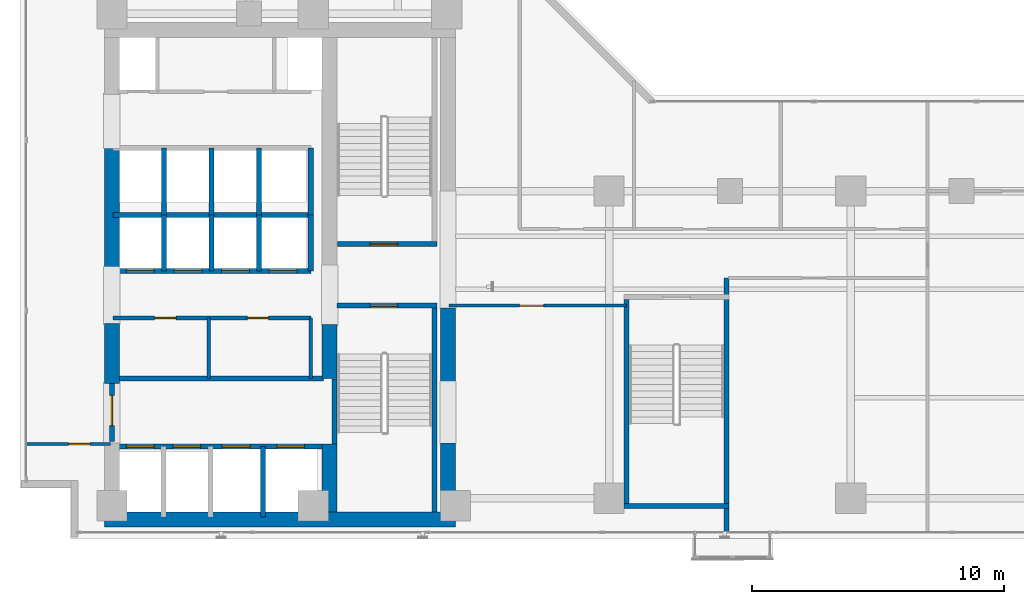
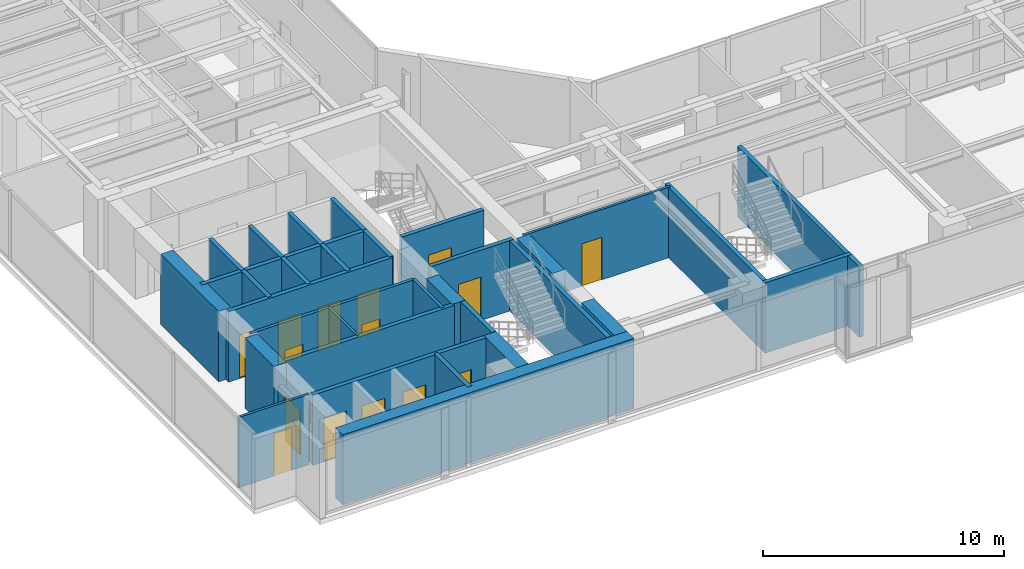
# One storey, part 19 of 24: 33 walls, 15 doors, 15 openings.
"""IFC4 building model written with IfcOpenShell, lengths in metres."""

from ifc_helpers import new_model, si_unit, direction, frame, frame_2d, origin, place, context, subcontext, project, spatial, rectangle, extrude, material, layer, layer_set, type_object, element, fill, save


model = new_model("IFC4")

# Units and contexts
model_context = context("Model", 3, precision=1e-05, world=origin(), true_north=direction((0.0, 1.0)))
body_context = subcontext(model_context, "Body", "Model", "MODEL_VIEW")
ifc_project = project(units=[si_unit("LENGTHUNIT", "METRE"), si_unit("AREAUNIT", "SQUARE_METRE"), si_unit("VOLUMEUNIT", "CUBIC_METRE"), si_unit("PLANEANGLEUNIT", "RADIAN"), si_unit("MASSUNIT", "GRAM", prefix="KILO")], contexts=[model_context])

# Site, building, storey
site_placement = place(None, origin())
site = spatial("IfcSite", under=ifc_project, at=site_placement, CompositionType="ELEMENT")
building_placement = place(site_placement, origin())
building = spatial("IfcBuilding", under=site, at=building_placement, Name="Kolvaren Waterfront Exchange", CompositionType="ELEMENT")
storey_placement = place(building_placement, frame((0.0, 0.0, 157.60009765625)))
storey = spatial("IfcBuildingStorey", under=building, at=storey_placement, Name="L40", CompositionType="ELEMENT", Elevation=157.60009765625)

# Wall, opening, door
ifc_material_1 = material(Name="Precast concrete C40/50", Category="concrete")
ifc_layer_1 = layer(ifc_material_1, 0.199951171875, Name="Precast concrete C40/50")
ifc_layer_set_1 = layer_set([ifc_layer_1], Name="Precast concrete C40/50")
wall_type_1 = type_object("IfcWallType", Name="ARC-FIRE-200", PredefinedType="PARTITIONING", material=ifc_layer_set_1)
wall_1_placement = place(storey_placement, frame((16.39990234375, 12.85009765625, 0.0), z_axis=(0.0, 0.0, 1.0), x_axis=(1.0, 0.0, 0.0)))
wall_1 = element("IfcWall", 1, at=wall_1_placement, inside=storey, type_object=wall_type_1, Name="L40 interior wall PW-L40-ST1-THROAT-S", PredefinedType="PARTITIONING", context=body_context, shape_type="SweptSolid", body=[
    extrude(rectangle(XDim=3.960205078125, YDim=0.199951171875, at=frame_2d((1.97998046875, 0.0))), origin(), (0.0, 0.0, 1.0), 3.559814453125),
])
opening_1_placement = place(wall_1_placement, frame((1.3037109375, 0.0, 0.0)))
opening_1 = element("IfcOpeningElement", 2, at=opening_1_placement, cuts=wall_1, Name="Opening FD2", PredefinedType="OPENING", context=body_context, shape_type="SweptSolid", body=[
    extrude(rectangle(XDim=1.10009765625, YDim=2.199951171875, at=frame_2d((0.550048828125, 1.10009765625))), frame((0.0, 0.10986328125, 0.0), z_axis=(0.0, -1.0, 0.0), x_axis=(1.0, 0.0, 0.0)), (0.0, 0.0, 1.0), 0.219970703125),
])
ifc_material_2 = material(Name="Pressed steel smoke-seal fire door", Category="steel")
door_type_1 = type_object("IfcDoorType", Name="ARC-FD-1100", OperationType="NOTDEFINED", PredefinedType="DOOR", material=ifc_material_2)
door_1_placement = place(opening_1_placement, frame((1.10009765625, 0.0, 0.0), z_axis=(0.0, 0.0, 1.0), x_axis=(-1.0, 0.0, 0.0)))
door_1 = element("IfcDoor", 3, at=door_1_placement, inside=storey, type_object=door_type_1, Name="L40 door DR-L40-ST1-IN (FD2)", OperationType="SINGLE_SWING_LEFT", OverallHeight=2.199951171875, OverallWidth=1.10009765625, PredefinedType="DOOR", context=body_context, shape_type="SweptSolid", body=[
    extrude(rectangle(XDim=1.10009765625, YDim=2.199951171875, at=frame_2d((0.550048828125, 1.10009765625))), frame((0.0, 0.02490234375, 0.0), z_axis=(0.0, -1.0, 0.0), x_axis=(1.0, 0.0, 0.0)), (0.0, 0.0, 1.0), 0.050048828125),
])
fill(opening_1, door_1)

wall_2_placement = place(storey_placement, frame((16.409912109375, 15.300048828125, 0.0), z_axis=(0.0, 0.0, 1.0), x_axis=(1.0, 0.0, 0.0)))
wall_2 = element("IfcWall", 4, at=wall_2_placement, inside=storey, type_object=wall_type_1, Name="L40 interior wall PW-L40-ST2-THROAT-N", PredefinedType="PARTITIONING", context=body_context, shape_type="SweptSolid", body=[
    extrude(rectangle(XDim=3.9501953125, YDim=0.199951171875, at=frame_2d((1.97509765625, 0.0))), origin(), (0.0, 0.0, 1.0), 3.559814453125),
])
opening_2_placement = place(wall_2_placement, frame((1.293701171875, 0.0, 0.0)))
opening_2 = element("IfcOpeningElement", 5, at=opening_2_placement, cuts=wall_2, Name="Opening FD2", PredefinedType="OPENING", context=body_context, shape_type="SweptSolid", body=[
    extrude(rectangle(XDim=1.10009765625, YDim=2.199951171875, at=frame_2d((0.550048828125, 1.10009765625))), frame((0.0, 0.10986328125, 0.0), z_axis=(0.0, -1.0, 0.0), x_axis=(1.0, 0.0, 0.0)), (0.0, 0.0, 1.0), 0.219970703125),
])
door_2_placement = place(opening_2_placement, origin())
door_2 = element("IfcDoor", 6, at=door_2_placement, inside=storey, type_object=door_type_1, Name="L40 door DR-L40-ST2-IN (FD2)", OperationType="SINGLE_SWING_RIGHT", OverallHeight=2.199951171875, OverallWidth=1.10009765625, PredefinedType="DOOR", context=body_context, shape_type="SweptSolid", body=[
    extrude(rectangle(XDim=1.10009765625, YDim=2.199951171875, at=frame_2d((0.550048828125, 1.10009765625))), frame((0.0, 0.02490234375, 0.0), z_axis=(0.0, -1.0, 0.0), x_axis=(1.0, 0.0, 0.0)), (0.0, 0.0, 1.0), 0.050048828125),
])
fill(opening_2, door_2)

# Wall
wall_3_placement = place(storey_placement, frame((7.5, 9.949951171875, 0.0), z_axis=(0.0, 0.0, 1.0), x_axis=(1.0, 0.0, 0.0)))
element("IfcWall", 7, at=wall_3_placement, inside=storey, type_object=wall_type_1, Name="L40 interior wall PW-L40-FF-N", PredefinedType="PARTITIONING", context=body_context, shape_type="SweptSolid", body=[
    extrude(rectangle(XDim=8.35009765625, YDim=0.199951171875, at=frame_2d((4.175048828125, 0.0))), origin(), (0.0, 0.0, 1.0), 3.559814453125),
])

# Wall, opening, door
wall_4_placement = place(storey_placement, frame((7.449951171875, 7.449951171875, 0.0), z_axis=(0.0, 0.0, 1.0), x_axis=(0.0, 1.0, 0.0)))
wall_4 = element("IfcWall", 8, at=wall_4_placement, inside=storey, type_object=wall_type_1, Name="L40 interior wall PW-L40-FF-W-DOOR", PredefinedType="PARTITIONING", context=body_context, shape_type="SweptSolid", body=[
    extrude(rectangle(XDim=2.300048828125, YDim=0.199951171875, at=frame_2d((1.14990234375, 0.0))), origin(), (0.0, 0.0, 1.0), 2.539794921875),
])
opening_3_placement = place(wall_4_placement, frame((0.63330078125, 0.0, 0.0)))
opening_3 = element("IfcOpeningElement", 9, at=opening_3_placement, cuts=wall_4, Name="Opening FD3", PredefinedType="OPENING", context=body_context, shape_type="SweptSolid", body=[
    extrude(rectangle(XDim=1.199951171875, YDim=2.25, at=frame_2d((0.60009765625, 1.125))), frame((0.0, 0.10986328125, 0.0), z_axis=(0.0, -1.0, 0.0), x_axis=(1.0, 0.0, 0.0)), (0.0, 0.0, 1.0), 0.219970703125),
])
ifc_material_3 = material(Name="Pressed steel fire door", Category="steel")
door_type_2 = type_object("IfcDoorType", Name="ARC-FD-1200", OperationType="NOTDEFINED", PredefinedType="DOOR", material=ifc_material_3)
door_3_placement = place(opening_3_placement, frame((1.199951171875, 0.0, 0.0), z_axis=(0.0, 0.0, 1.0), x_axis=(-1.0, 0.0, 0.0)))
door_3 = element("IfcDoor", 10, at=door_3_placement, inside=storey, type_object=door_type_2, Name="L40 door DR-L40-FF-OUT (FD3)", OperationType="SINGLE_SWING_RIGHT", OverallHeight=2.25, OverallWidth=1.199951171875, PredefinedType="DOOR", context=body_context, shape_type="SweptSolid", body=[
    extrude(rectangle(XDim=1.199951171875, YDim=2.25, at=frame_2d((0.60009765625, 1.125))), frame((0.0, 0.02490234375, 0.0), z_axis=(0.0, -1.0, 0.0), x_axis=(1.0, 0.0, 0.0)), (0.0, 0.0, 1.0), 0.050048828125),
])
fill(opening_3, door_3)

# Wall
ifc_material_4 = material(Name="Acoustic gypsum steel stud", Category="steel")
ifc_layer_2 = layer(ifc_material_4, 0.125, Name="Acoustic gypsum steel stud")
ifc_layer_set_2 = layer_set([ifc_layer_2], Name="Acoustic gypsum steel stud")
wall_type_2 = type_object("IfcWallType", Name="ARC-PART-125", PredefinedType="PARTITIONING", material=ifc_layer_set_2)
wall_5_placement = place(storey_placement, frame((11.300048828125, 9.949951171875, 0.0), z_axis=(0.0, 0.0, 1.0), x_axis=(0.0, 1.0, 0.0)))
element("IfcWall", 11, at=wall_5_placement, inside=storey, type_object=wall_type_2, Name="L40 interior wall PW-L40-REC-PL-MID", PredefinedType="PARTITIONING", context=body_context, shape_type="SweptSolid", body=[
    extrude(rectangle(XDim=2.41015625, YDim=0.125, at=frame_2d((1.205078125, 0.0))), origin(), (0.0, 0.0, 1.0), 3.559814453125),
])

# Wall, opening, door
wall_6_placement = place(storey_placement, frame((4.0400390625, 7.35009765625, 0.0), z_axis=(0.0, 0.0, 1.0), x_axis=(1.0, 0.0, 0.0)))
wall_6 = element("IfcWall", 12, at=wall_6_placement, inside=storey, type_object=wall_type_2, Name="L40 interior wall PW-L40-SWC-N", PredefinedType="PARTITIONING", context=body_context, shape_type="SweptSolid", body=[
    extrude(rectangle(XDim=3.35986328125, YDim=0.125, at=frame_2d((1.679931640625, 0.0))), origin(), (0.0, 0.0, 1.0), 3.559814453125),
])
opening_4_placement = place(wall_6_placement, frame((1.686767578125, 0.0, 0.0)))
opening_4 = element("IfcOpeningElement", 13, at=opening_4_placement, cuts=wall_6, Name="Opening D01", PredefinedType="OPENING", context=body_context, shape_type="SweptSolid", body=[
    extrude(rectangle(XDim=0.85009765625, YDim=2.14990234375, at=frame_2d((0.425048828125, 1.074951171875))), frame((0.0, 0.072509765625, 0.0), z_axis=(0.0, -1.0, 0.0), x_axis=(1.0, 0.0, 0.0)), (0.0, 0.0, 1.0), 0.14501953125),
])
ifc_material_5 = material(Name="Oak veneer timber leaf", Category="wood")
door_type_3 = type_object("IfcDoorType", Name="ARC-DR-900", OperationType="NOTDEFINED", PredefinedType="DOOR", material=ifc_material_5)
door_4_placement = place(opening_4_placement, origin())
door_4 = element("IfcDoor", 14, at=door_4_placement, inside=storey, type_object=door_type_3, Name="L40 door DR-L40-SWC-D (D01)", OperationType="SINGLE_SWING_RIGHT", OverallHeight=2.14990234375, OverallWidth=0.85009765625, PredefinedType="DOOR", context=body_context, shape_type="SweptSolid", body=[
    extrude(rectangle(XDim=0.85009765625, YDim=2.14990234375, at=frame_2d((0.425048828125, 1.074951171875))), frame((0.0, 0.02490234375, 0.0), z_axis=(0.0, -1.0, 0.0), x_axis=(1.0, 0.0, 0.0)), (0.0, 0.0, 1.0), 0.050048828125),
])
fill(opening_4, door_4)

wall_7_placement = place(storey_placement, frame((20.85009765625, 12.85009765625, 0.0), z_axis=(0.0, 0.0, 1.0), x_axis=(1.0, 0.0, 0.0)))
wall_7 = element("IfcWall", 15, at=wall_7_placement, inside=storey, type_object=wall_type_2, Name="L40 interior wall PW-L40-SWST3-N", PredefinedType="PARTITIONING", context=body_context, shape_type="SweptSolid", body=[
    extrude(rectangle(XDim=7.0498046875, YDim=0.125, at=frame_2d((3.52490234375, 0.0))), origin(), (0.0, 0.0, 1.0), 3.559814453125),
])
opening_5_placement = place(wall_7_placement, frame((2.800048828125, 0.0, 0.0)))
opening_5 = element("IfcOpeningElement", 16, at=opening_5_placement, cuts=wall_7, Name="Opening D02", PredefinedType="OPENING", context=body_context, shape_type="SweptSolid", body=[
    extrude(rectangle(XDim=0.949951171875, YDim=2.14990234375, at=frame_2d((0.47509765625, 1.074951171875))), frame((0.0, 0.072509765625, 0.0), z_axis=(0.0, -1.0, 0.0), x_axis=(1.0, 0.0, 0.0)), (0.0, 0.0, 1.0), 0.14501953125),
])
ifc_material_6 = material(Name="Oak veneer acoustic timber", Category="wood")
door_type_4 = type_object("IfcDoorType", Name="ARC-DR-950", OperationType="NOTDEFINED", PredefinedType="DOOR", material=ifc_material_6)
door_5_placement = place(opening_5_placement, origin())
door_5 = element("IfcDoor", 17, at=door_5_placement, inside=storey, type_object=door_type_4, Name="L40 door DR-L40-SWST3-D (D02)", OperationType="SINGLE_SWING_LEFT", OverallHeight=2.14990234375, OverallWidth=0.949951171875, PredefinedType="DOOR", context=body_context, shape_type="SweptSolid", body=[
    extrude(rectangle(XDim=0.949951171875, YDim=2.14990234375, at=frame_2d((0.47509765625, 1.074951171875))), frame((0.0, 0.02490234375, 0.0), z_axis=(0.0, -1.0, 0.0), x_axis=(1.0, 0.0, 0.0)), (0.0, 0.0, 1.0), 0.050048828125),
])
fill(opening_5, door_5)

# Wall, openings, doors
ifc_material_7 = material(Name="Gypsum fireboard steel stud", Category="steel")
ifc_layer_3 = layer(ifc_material_7, 0.14990234375, Name="Gypsum fireboard steel stud")
ifc_layer_set_3 = layer_set([ifc_layer_3], Name="Gypsum fireboard steel stud")
wall_type_3 = type_object("IfcWallType", Name="ARC-PART-150", PredefinedType="PARTITIONING", material=ifc_layer_set_3)
wall_8_placement = place(storey_placement, frame((7.5, 12.360107421875, 0.0), z_axis=(0.0, 0.0, 1.0), x_axis=(1.0, 0.0, 0.0)))
wall_8 = element("IfcWall", 18, at=wall_8_placement, inside=storey, type_object=wall_type_3, Name="L40 interior wall PW-L40-REC-PL-N", PredefinedType="PARTITIONING", context=body_context, shape_type="SweptSolid", body=[
    extrude(rectangle(XDim=7.85009765625, YDim=0.14990234375, at=frame_2d((3.925048828125, 0.0))), origin(), (0.0, 0.0, 1.0), 3.559814453125),
])
opening_6_placement = place(wall_8_placement, frame((1.64990234375, 0.0, 0.0)))
opening_6 = element("IfcOpeningElement", 19, at=opening_6_placement, cuts=wall_8, Name="Opening D01", PredefinedType="OPENING", context=body_context, shape_type="SweptSolid", body=[
    extrude(rectangle(XDim=0.85009765625, YDim=2.14990234375, at=frame_2d((0.425048828125, 1.074951171875))), frame((0.0, 0.0849609375, 0.0), z_axis=(0.0, -1.0, 0.0), x_axis=(1.0, 0.0, 0.0)), (0.0, 0.0, 1.0), 0.169921875),
])
opening_7_placement = place(wall_8_placement, frame((5.329345703125, 0.0, 0.0)))
opening_7 = element("IfcOpeningElement", 20, at=opening_7_placement, cuts=wall_8, Name="Opening D01", PredefinedType="OPENING", context=body_context, shape_type="SweptSolid", body=[
    extrude(rectangle(XDim=0.85009765625, YDim=2.14990234375, at=frame_2d((0.425048828125, 1.074951171875))), frame((0.0, 0.0849609375, 0.0), z_axis=(0.0, -1.0, 0.0), x_axis=(1.0, 0.0, 0.0)), (0.0, 0.0, 1.0), 0.169921875),
])
door_6_placement = place(opening_6_placement, origin())
door_6 = element("IfcDoor", 21, at=door_6_placement, inside=storey, type_object=door_type_3, Name="L40 door DR-L40-REC-PL-D1 (D01)", OperationType="SINGLE_SWING_LEFT", OverallHeight=2.14990234375, OverallWidth=0.85009765625, PredefinedType="DOOR", context=body_context, shape_type="SweptSolid", body=[
    extrude(rectangle(XDim=0.85009765625, YDim=2.14990234375, at=frame_2d((0.425048828125, 1.074951171875))), frame((0.0, 0.02490234375, 0.0), z_axis=(0.0, -1.0, 0.0), x_axis=(1.0, 0.0, 0.0)), (0.0, 0.0, 1.0), 0.050048828125),
])
fill(opening_6, door_6)
door_7_placement = place(opening_7_placement, origin())
door_7 = element("IfcDoor", 22, at=door_7_placement, inside=storey, type_object=door_type_3, Name="L40 door DR-L40-REC-PL-D2 (D01)", OperationType="SINGLE_SWING_RIGHT", OverallHeight=2.14990234375, OverallWidth=0.85009765625, PredefinedType="DOOR", context=body_context, shape_type="SweptSolid", body=[
    extrude(rectangle(XDim=0.85009765625, YDim=2.14990234375, at=frame_2d((0.425048828125, 1.074951171875))), frame((0.0, 0.02490234375, 0.0), z_axis=(0.0, -1.0, 0.0), x_axis=(1.0, 0.0, 0.0)), (0.0, 0.0, 1.0), 0.050048828125),
])
fill(opening_7, door_7)

# Walls
wall_9_placement = place(storey_placement, frame((15.35009765625, 9.949951171875, 0.0), z_axis=(0.0, 0.0, 1.0), x_axis=(0.0, 1.0, 0.0)))
element("IfcWall", 23, at=wall_9_placement, inside=storey, type_object=wall_type_3, Name="L40 interior wall PW-L40-REC-PL-E", PredefinedType="PARTITIONING", context=body_context, shape_type="SweptSolid", body=[
    extrude(rectangle(XDim=2.41015625, YDim=0.14990234375, at=frame_2d((1.205078125, 0.0))), origin(), (0.0, 0.0, 1.0), 3.559814453125),
])
ifc_material_8 = material(Name="Concrete C40/50", Category="concrete")
ifc_layer_4 = layer(ifc_material_8, 0.199951171875, Name="Concrete C40/50")
ifc_layer_set_4 = layer_set([ifc_layer_4], Name="Concrete C40/50")
wall_type_4 = type_object("IfcWallType", Name="ARC-SHAFT-200", PredefinedType="PARTITIONING", material=ifc_layer_set_4)
wall_10_placement = place(storey_placement, frame((16.300048828125, 7.360107421875, 0.0), z_axis=(0.0, 0.0, 1.0), x_axis=(0.0, 1.0, 0.0)))
element("IfcWall", 24, at=wall_10_placement, inside=storey, type_object=wall_type_4, Name="L40 structural stairwell wall PW-L40-ST1-W", PredefinedType="SHEAR", context=body_context, shape_type="SweptSolid", body=[
    extrude(rectangle(XDim=2.579833984375, YDim=0.199951171875, at=frame_2d((1.2900390625, 0.0))), origin(), (0.0, 0.0, 1.0), 3.559814453125),
])
wall_11_placement = place(storey_placement, frame((20.260009765625, 4.659912109375, 0.0), z_axis=(0.0, 0.0, 1.0), x_axis=(0.0, 1.0, 0.0)))
element("IfcWall", 25, at=wall_11_placement, inside=storey, type_object=wall_type_4, Name="L40 structural stairwell wall PW-L40-ST1-E", PredefinedType="SHEAR", context=body_context, shape_type="SweptSolid", body=[
    extrude(rectangle(XDim=8.090087890625, YDim=0.199951171875, at=frame_2d((4.044921875, 0.0))), origin(), (0.0, 0.0, 1.0), 3.559814453125),
])
wall_12_placement = place(storey_placement, frame((27.89990234375, 5.0, 0.0), z_axis=(0.0, 0.0, 1.0), x_axis=(0.0, 1.0, 0.0)))
element("IfcWall", 26, at=wall_12_placement, inside=storey, type_object=wall_type_4, Name="L40 structural stairwell wall PW-L40-ST3-W", PredefinedType="SHEAR", context=body_context, shape_type="SweptSolid", body=[
    extrude(rectangle(XDim=8.10009765625, YDim=0.199951171875, at=frame_2d((4.050048828125, 0.0))), origin(), (0.0, 0.0, 1.0), 3.559814453125),
])
wall_13_placement = place(storey_placement, frame((31.860107421875, 3.840087890625, 0.0), z_axis=(0.0, 0.0, 1.0), x_axis=(0.0, 1.0, 0.0)))
element("IfcWall", 27, at=wall_13_placement, inside=storey, type_object=wall_type_4, Name="L40 structural stairwell wall PW-L40-ST3-E", PredefinedType="SHEAR", context=body_context, shape_type="SweptSolid", body=[
    extrude(rectangle(XDim=10.10986328125, YDim=0.199951171875, at=frame_2d((5.054931640625, 0.0))), origin(), (0.0, 0.0, 1.0), 3.559814453125),
])
wall_14_placement = place(storey_placement, frame((27.800048828125, 4.89990234375, 0.0), z_axis=(0.0, 0.0, 1.0), x_axis=(1.0, 0.0, 0.0)))
element("IfcWall", 28, at=wall_14_placement, inside=storey, type_object=wall_type_4, Name="L40 structural stairwell wall PW-L40-ST3-S", PredefinedType="SHEAR", context=body_context, shape_type="SweptSolid", body=[
    extrude(rectangle(XDim=4.159912109375, YDim=0.199951171875, at=frame_2d((2.080078125, 0.0))), origin(), (0.0, 0.0, 1.0), 3.559814453125),
])

# Wall, openings, doors
wall_15_placement = place(storey_placement, frame((7.5, 7.25, 0.0), z_axis=(0.0, 0.0, 1.0), x_axis=(1.0, 0.0, 0.0)))
wall_15 = element("IfcWall", 29, at=wall_15_placement, inside=storey, type_object=wall_type_4, Name="L40 interior wall PW-L40-FF-S", PredefinedType="PARTITIONING", context=body_context, shape_type="SweptSolid", body=[
    extrude(rectangle(XDim=8.35009765625, YDim=0.199951171875, at=frame_2d((4.175048828125, 0.0))), origin(), (0.0, 0.0, 1.0), 3.559814453125),
])
opening_8_placement = place(wall_15_placement, frame((0.530029296875, 0.0, 0.0)))
opening_8 = element("IfcOpeningElement", 30, at=opening_8_placement, cuts=wall_15, Name="Opening LD1", PredefinedType="OPENING", context=body_context, shape_type="SweptSolid", body=[
    extrude(rectangle(XDim=1.10009765625, YDim=2.199951171875, at=frame_2d((0.550048828125, 1.10009765625))), frame((0.0, 0.10986328125, 0.0), z_axis=(0.0, -1.0, 0.0), x_axis=(1.0, 0.0, 0.0)), (0.0, 0.0, 1.0), 0.219970703125),
])
opening_9_placement = place(wall_15_placement, frame((2.3701171875, 0.0, 0.0)))
opening_9 = element("IfcOpeningElement", 31, at=opening_9_placement, cuts=wall_15, Name="Opening LD1", PredefinedType="OPENING", context=body_context, shape_type="SweptSolid", body=[
    extrude(rectangle(XDim=1.10009765625, YDim=2.199951171875, at=frame_2d((0.550048828125, 1.10009765625))), frame((0.0, 0.10986328125, 0.0), z_axis=(0.0, -1.0, 0.0), x_axis=(1.0, 0.0, 0.0)), (0.0, 0.0, 1.0), 0.219970703125),
])
opening_10_placement = place(wall_15_placement, frame((4.330078125, 0.0, 0.0)))
opening_10 = element("IfcOpeningElement", 32, at=opening_10_placement, cuts=wall_15, Name="Opening LD1", PredefinedType="OPENING", context=body_context, shape_type="SweptSolid", body=[
    extrude(rectangle(XDim=1.10009765625, YDim=2.199951171875, at=frame_2d((0.550048828125, 1.10009765625))), frame((0.0, 0.10986328125, 0.0), z_axis=(0.0, -1.0, 0.0), x_axis=(1.0, 0.0, 0.0)), (0.0, 0.0, 1.0), 0.219970703125),
])
opening_11_placement = place(wall_15_placement, frame((6.5, 0.0, 0.0)))
opening_11 = element("IfcOpeningElement", 33, at=opening_11_placement, cuts=wall_15, Name="Opening LD1", PredefinedType="OPENING", context=body_context, shape_type="SweptSolid", body=[
    extrude(rectangle(XDim=1.10009765625, YDim=2.199951171875, at=frame_2d((0.550048828125, 1.10009765625))), frame((0.0, 0.10986328125, 0.0), z_axis=(0.0, -1.0, 0.0), x_axis=(1.0, 0.0, 0.0)), (0.0, 0.0, 1.0), 0.219970703125),
])
ifc_material_9 = material(Name="Stainless steel sliding landing door", Category="steel")
door_type_5 = type_object("IfcDoorType", Name="ARC-LD-FF", OperationType="SLIDING_TO_LEFT", PredefinedType="DOOR", material=ifc_material_9)
door_8_placement = place(opening_8_placement, origin())
door_8 = element("IfcDoor", 34, at=door_8_placement, inside=storey, type_object=door_type_5, Name="L40 door LD-L40-FFL1 (LD1)", OperationType="SLIDING_TO_LEFT", OverallHeight=2.199951171875, OverallWidth=1.10009765625, PredefinedType="DOOR", context=body_context, shape_type="SweptSolid", body=[
    extrude(rectangle(XDim=1.10009765625, YDim=2.199951171875, at=frame_2d((0.550048828125, 1.10009765625))), frame((0.0, 0.02490234375, 0.0), z_axis=(0.0, -1.0, 0.0), x_axis=(1.0, 0.0, 0.0)), (0.0, 0.0, 1.0), 0.050048828125),
])
fill(opening_8, door_8)
door_9_placement = place(opening_9_placement, origin())
door_9 = element("IfcDoor", 35, at=door_9_placement, inside=storey, type_object=door_type_5, Name="L40 door LD-L40-FFL2 (LD1)", OperationType="SLIDING_TO_LEFT", OverallHeight=2.199951171875, OverallWidth=1.10009765625, PredefinedType="DOOR", context=body_context, shape_type="SweptSolid", body=[
    extrude(rectangle(XDim=1.10009765625, YDim=2.199951171875, at=frame_2d((0.550048828125, 1.10009765625))), frame((0.0, 0.02490234375, 0.0), z_axis=(0.0, -1.0, 0.0), x_axis=(1.0, 0.0, 0.0)), (0.0, 0.0, 1.0), 0.050048828125),
])
fill(opening_9, door_9)
door_10_placement = place(opening_10_placement, origin())
door_10 = element("IfcDoor", 36, at=door_10_placement, inside=storey, type_object=door_type_5, Name="L40 door LD-L40-GL1 (LD1)", OperationType="SLIDING_TO_LEFT", OverallHeight=2.199951171875, OverallWidth=1.10009765625, PredefinedType="DOOR", context=body_context, shape_type="SweptSolid", body=[
    extrude(rectangle(XDim=1.10009765625, YDim=2.199951171875, at=frame_2d((0.550048828125, 1.10009765625))), frame((0.0, 0.02490234375, 0.0), z_axis=(0.0, -1.0, 0.0), x_axis=(1.0, 0.0, 0.0)), (0.0, 0.0, 1.0), 0.050048828125),
])
fill(opening_10, door_10)
door_11_placement = place(opening_11_placement, origin())
door_11 = element("IfcDoor", 37, at=door_11_placement, inside=storey, type_object=door_type_5, Name="L40 door LD-L40-GL2 (LD1)", OperationType="SLIDING_TO_LEFT", OverallHeight=2.199951171875, OverallWidth=1.10009765625, PredefinedType="DOOR", context=body_context, shape_type="SweptSolid", body=[
    extrude(rectangle(XDim=1.10009765625, YDim=2.199951171875, at=frame_2d((0.550048828125, 1.10009765625))), frame((0.0, 0.02490234375, 0.0), z_axis=(0.0, -1.0, 0.0), x_axis=(1.0, 0.0, 0.0)), (0.0, 0.0, 1.0), 0.050048828125),
])
fill(opening_11, door_11)

# Wall
wall_16_placement = place(storey_placement, frame((13.4599609375, 4.449951171875, 0.0), z_axis=(0.0, 0.0, 1.0), x_axis=(0.0, 1.0, 0.0)))
element("IfcWall", 38, at=wall_16_placement, inside=storey, type_object=wall_type_4, Name="L40 interior wall PW-L40-SH1-DIV-134", PredefinedType="PARTITIONING", context=body_context, shape_type="SweptSolid", body=[
    extrude(rectangle(XDim=2.800048828125, YDim=0.199951171875, at=frame_2d((1.39990234375, 0.0))), origin(), (0.0, 0.0, 1.0), 3.559814453125),
])

# Wall, openings, doors
wall_17_placement = place(storey_placement, frame((7.5, 14.219970703125, 0.0), z_axis=(0.0, 0.0, 1.0), x_axis=(1.0, 0.0, 0.0)))
wall_17 = element("IfcWall", 39, at=wall_17_placement, inside=storey, type_object=wall_type_4, Name="L40 interior wall PW-L40-PM-S", PredefinedType="PARTITIONING", context=body_context, shape_type="SweptSolid", body=[
    extrude(rectangle(XDim=7.85009765625, YDim=0.199951171875, at=frame_2d((3.925048828125, 0.0))), origin(), (0.0, 0.0, 1.0), 3.559814453125),
])
opening_12_placement = place(wall_17_placement, frame((0.530029296875, 0.0, 0.0)))
opening_12 = element("IfcOpeningElement", 40, at=opening_12_placement, cuts=wall_17, Name="Opening LD2", PredefinedType="OPENING", context=body_context, shape_type="SweptSolid", body=[
    extrude(rectangle(XDim=1.10009765625, YDim=2.199951171875, at=frame_2d((0.550048828125, 1.10009765625))), frame((0.0, 0.10986328125, 0.0), z_axis=(0.0, -1.0, 0.0), x_axis=(1.0, 0.0, 0.0)), (0.0, 0.0, 1.0), 0.219970703125),
])
opening_13_placement = place(wall_17_placement, frame((2.419921875, 0.0, 0.0)))
opening_13 = element("IfcOpeningElement", 41, at=opening_13_placement, cuts=wall_17, Name="Opening LD2", PredefinedType="OPENING", context=body_context, shape_type="SweptSolid", body=[
    extrude(rectangle(XDim=1.10009765625, YDim=2.199951171875, at=frame_2d((0.550048828125, 1.10009765625))), frame((0.0, 0.10986328125, 0.0), z_axis=(0.0, -1.0, 0.0), x_axis=(1.0, 0.0, 0.0)), (0.0, 0.0, 1.0), 0.219970703125),
])
opening_14_placement = place(wall_17_placement, frame((4.31005859375, 0.0, 0.0)))
opening_14 = element("IfcOpeningElement", 42, at=opening_14_placement, cuts=wall_17, Name="Opening LD2", PredefinedType="OPENING", context=body_context, shape_type="SweptSolid", body=[
    extrude(rectangle(XDim=1.10009765625, YDim=2.199951171875, at=frame_2d((0.550048828125, 1.10009765625))), frame((0.0, 0.10986328125, 0.0), z_axis=(0.0, -1.0, 0.0), x_axis=(1.0, 0.0, 0.0)), (0.0, 0.0, 1.0), 0.219970703125),
])
opening_15_placement = place(wall_17_placement, frame((6.199951171875, 0.0, 0.0)))
opening_15 = element("IfcOpeningElement", 43, at=opening_15_placement, cuts=wall_17, Name="Opening LD2", PredefinedType="OPENING", context=body_context, shape_type="SweptSolid", body=[
    extrude(rectangle(XDim=1.10009765625, YDim=2.199951171875, at=frame_2d((0.550048828125, 1.10009765625))), frame((0.0, 0.10986328125, 0.0), z_axis=(0.0, -1.0, 0.0), x_axis=(1.0, 0.0, 0.0)), (0.0, 0.0, 1.0), 0.219970703125),
])
ifc_material_10 = material(Name="Brushed bronze sliding landing door", Category="aluminium")
door_type_6 = type_object("IfcDoorType", Name="ARC-LD-PAX", OperationType="SLIDING_TO_LEFT", PredefinedType="DOOR", material=ifc_material_10)
door_12_placement = place(opening_12_placement, frame((1.10009765625, 0.0, 0.0), z_axis=(0.0, 0.0, 1.0), x_axis=(-1.0, 0.0, 0.0)))
door_12 = element("IfcDoor", 44, at=door_12_placement, inside=storey, type_object=door_type_6, Name="L40 door LD-L40-PM1 (LD2)", OperationType="SLIDING_TO_LEFT", OverallHeight=2.199951171875, OverallWidth=1.10009765625, PredefinedType="DOOR", context=body_context, shape_type="SweptSolid", body=[
    extrude(rectangle(XDim=1.10009765625, YDim=2.199951171875, at=frame_2d((0.550048828125, 1.10009765625))), frame((0.0, 0.02490234375, 0.0), z_axis=(0.0, -1.0, 0.0), x_axis=(1.0, 0.0, 0.0)), (0.0, 0.0, 1.0), 0.050048828125),
])
fill(opening_12, door_12)
door_13_placement = place(opening_13_placement, frame((1.10009765625, 0.0, 0.0), z_axis=(0.0, 0.0, 1.0), x_axis=(-1.0, 0.0, 0.0)))
door_13 = element("IfcDoor", 45, at=door_13_placement, inside=storey, type_object=door_type_6, Name="L40 door LD-L40-PM2 (LD2)", OperationType="SLIDING_TO_LEFT", OverallHeight=2.199951171875, OverallWidth=1.10009765625, PredefinedType="DOOR", context=body_context, shape_type="SweptSolid", body=[
    extrude(rectangle(XDim=1.10009765625, YDim=2.199951171875, at=frame_2d((0.550048828125, 1.10009765625))), frame((0.0, 0.02490234375, 0.0), z_axis=(0.0, -1.0, 0.0), x_axis=(1.0, 0.0, 0.0)), (0.0, 0.0, 1.0), 0.050048828125),
])
fill(opening_13, door_13)
door_14_placement = place(opening_14_placement, frame((1.10009765625, 0.0, 0.0), z_axis=(0.0, 0.0, 1.0), x_axis=(-1.0, 0.0, 0.0)))
door_14 = element("IfcDoor", 46, at=door_14_placement, inside=storey, type_object=door_type_6, Name="L40 door LD-L40-PM3 (LD2)", OperationType="SLIDING_TO_LEFT", OverallHeight=2.199951171875, OverallWidth=1.10009765625, PredefinedType="DOOR", context=body_context, shape_type="SweptSolid", body=[
    extrude(rectangle(XDim=1.10009765625, YDim=2.199951171875, at=frame_2d((0.550048828125, 1.10009765625))), frame((0.0, 0.02490234375, 0.0), z_axis=(0.0, -1.0, 0.0), x_axis=(1.0, 0.0, 0.0)), (0.0, 0.0, 1.0), 0.050048828125),
])
fill(opening_14, door_14)
door_15_placement = place(opening_15_placement, frame((1.10009765625, 0.0, 0.0), z_axis=(0.0, 0.0, 1.0), x_axis=(-1.0, 0.0, 0.0)))
door_15 = element("IfcDoor", 47, at=door_15_placement, inside=storey, type_object=door_type_6, Name="L40 door LD-L40-PM4 (LD2)", OperationType="SLIDING_TO_LEFT", OverallHeight=2.199951171875, OverallWidth=1.10009765625, PredefinedType="DOOR", context=body_context, shape_type="SweptSolid", body=[
    extrude(rectangle(XDim=1.10009765625, YDim=2.199951171875, at=frame_2d((0.550048828125, 1.10009765625))), frame((0.0, 0.02490234375, 0.0), z_axis=(0.0, -1.0, 0.0), x_axis=(1.0, 0.0, 0.0)), (0.0, 0.0, 1.0), 0.050048828125),
])
fill(opening_15, door_15)

# Walls
wall_18_placement = place(storey_placement, frame((7.5, 16.449951171875, 0.0), z_axis=(0.0, 0.0, 1.0), x_axis=(1.0, 0.0, 0.0)))
element("IfcWall", 48, at=wall_18_placement, inside=storey, type_object=wall_type_4, Name="L40 interior wall PW-L40-PM-N", PredefinedType="PARTITIONING", context=body_context, shape_type="SweptSolid", body=[
    extrude(rectangle(XDim=7.85009765625, YDim=0.199951171875, at=frame_2d((3.925048828125, 0.0))), origin(), (0.0, 0.0, 1.0), 3.559814453125),
])
for number, where, z_axis, x_axis, name in (
    (49, (15.35009765625, 14.219970703125, 0.0), (0.0, 0.0, 1.0), (0.0, 1.0, 0.0), "L40 interior wall PW-L40-PM-E"),
    (50, (9.52001953125, 14.219970703125, 0.0), (0.0, 0.0, 1.0), (0.0, 1.0, 0.0), "L40 interior wall PW-L40-SH3-DIV-95"),
    (51, (11.409912109375, 14.219970703125, 0.0), (0.0, 0.0, 1.0), (0.0, 1.0, 0.0), "L40 interior wall PW-L40-SH3-DIV-114"),
    (52, (13.300048828125, 14.219970703125, 0.0), (0.0, 0.0, 1.0), (0.0, 1.0, 0.0), "L40 interior wall PW-L40-SH3-DIV-133"),
):
    element("IfcWall", number, at=place(storey_placement, frame(where, z_axis=z_axis, x_axis=x_axis)), inside=storey, type_object=wall_type_4, Name=name, PredefinedType="PARTITIONING", context=body_context, shape_type="SweptSolid", body=[
        extrude(rectangle(XDim=2.22998046875, YDim=0.199951171875, at=frame_2d((1.114990234375, 0.0))), origin(), (0.0, 0.0, 1.0), 3.559814453125),
    ])
for number, where, z_axis, x_axis, name in (
    (53, (15.35009765625, 16.449951171875, 0.0), (0.0, 0.0, 1.0), (0.0, 1.0, 0.0), "L40 interior wall PW-L40-PH-E"),
    (54, (9.52001953125, 16.449951171875, 0.0), (0.0, 0.0, 1.0), (0.0, 1.0, 0.0), "L40 interior wall PW-L40-SH4-DIV-95"),
    (55, (11.409912109375, 16.449951171875, 0.0), (0.0, 0.0, 1.0), (0.0, 1.0, 0.0), "L40 interior wall PW-L40-SH4-DIV-114"),
    (56, (13.300048828125, 16.449951171875, 0.0), (0.0, 0.0, 1.0), (0.0, 1.0, 0.0), "L40 interior wall PW-L40-SH4-DIV-133"),
):
    element("IfcWall", number, at=place(storey_placement, frame(where, z_axis=z_axis, x_axis=x_axis)), inside=storey, type_object=wall_type_4, Name=name, PredefinedType="PARTITIONING", context=body_context, shape_type="SweptSolid", body=[
        extrude(rectangle(XDim=2.670166015625, YDim=0.199951171875, at=frame_2d((1.3349609375, 0.0))), origin(), (0.0, 0.0, 1.0), 3.559814453125),
    ])
ifc_material_11 = material(Name="Concrete C60/75", Category="concrete")
ifc_layer_5 = layer(ifc_material_11, 0.60009765625, Name="Concrete C60/75")
ifc_layer_set_5 = layer_set([ifc_layer_5], Name="Concrete C60/75")
wall_type_5 = type_object("IfcWallType", Name="STR-CWALL-600", PredefinedType="SHEAR", material=ifc_layer_set_5)
wall_19_placement = place(storey_placement, frame((7.14990234375, 4.35009765625, 0.0), z_axis=(0.0, 0.0, 1.0), x_axis=(1.0, 0.0, 0.0)))
element("IfcWall", 57, at=wall_19_placement, inside=storey, type_object=wall_type_5, Name="L40 rear-core shear wall S", PredefinedType="SHEAR", context=body_context, shape_type="SweptSolid", body=[
    extrude(rectangle(XDim=13.9501953125, YDim=0.60009765625, at=frame_2d((6.97509765625, 0.0))), origin(), (0.0, 0.0, 1.0), 3.559814453125),
])
wall_20_placement = place(storey_placement, frame((7.449951171875, 9.75, 0.0), z_axis=(0.0, 0.0, 1.0), x_axis=(0.0, 1.0, 0.0)))
element("IfcWall", 58, at=wall_20_placement, inside=storey, type_object=wall_type_5, Name="L40 rear-core shear wall W2A", PredefinedType="SHEAR", context=body_context, shape_type="SweptSolid", body=[
    extrude(rectangle(XDim=2.39990234375, YDim=0.60009765625, at=frame_2d((1.199951171875, 0.0))), origin(), (0.0, 0.0, 1.0), 3.559814453125),
])
wall_21_placement = place(storey_placement, frame((7.449951171875, 14.35009765625, 0.0), z_axis=(0.0, 0.0, 1.0), x_axis=(0.0, 1.0, 0.0)))
element("IfcWall", 59, at=wall_21_placement, inside=storey, type_object=wall_type_5, Name="L40 rear-core shear wall W2B", PredefinedType="SHEAR", context=body_context, shape_type="SweptSolid", body=[
    extrude(rectangle(XDim=4.809814453125, YDim=0.60009765625, at=frame_2d((2.40478515625, 0.0))), origin(), (0.0, 0.0, 1.0), 3.559814453125),
])
wall_22_placement = place(storey_placement, frame((20.800048828125, 4.64990234375, 0.0), z_axis=(0.0, 0.0, 1.0), x_axis=(0.0, 1.0, 0.0)))
element("IfcWall", 60, at=wall_22_placement, inside=storey, type_object=wall_type_5, Name="L40 rear-core shear wall E1", PredefinedType="SHEAR", context=body_context, shape_type="SweptSolid", body=[
    extrude(rectangle(XDim=2.75, YDim=0.60009765625, at=frame_2d((1.375, 0.0))), origin(), (0.0, 0.0, 1.0), 3.559814453125),
])
wall_23_placement = place(storey_placement, frame((20.800048828125, 9.800048828125, 0.0), z_axis=(0.0, 0.0, 1.0), x_axis=(0.0, 1.0, 0.0)))
element("IfcWall", 61, at=wall_23_placement, inside=storey, type_object=wall_type_5, Name="L40 rear-core shear wall E2", PredefinedType="SHEAR", context=body_context, shape_type="SweptSolid", body=[
    extrude(rectangle(XDim=2.949951171875, YDim=0.60009765625, at=frame_2d((1.47509765625, 0.0))), origin(), (0.0, 0.0, 1.0), 3.559814453125),
])
wall_24_placement = place(storey_placement, frame((16.10009765625, 4.64990234375, 0.0), z_axis=(0.0, 0.0, 1.0), x_axis=(0.0, 1.0, 0.0)))
element("IfcWall", 62, at=wall_24_placement, inside=storey, type_object=wall_type_5, Name="L40 rear-core shear wall M1", PredefinedType="SHEAR", context=body_context, shape_type="SweptSolid", body=[
    extrude(rectangle(XDim=2.7001953125, YDim=0.60009765625, at=frame_2d((1.35009765625, 0.0))), origin(), (0.0, 0.0, 1.0), 3.559814453125),
])
wall_25_placement = place(storey_placement, frame((16.10009765625, 9.949951171875, 0.0), z_axis=(0.0, 0.0, 1.0), x_axis=(0.0, 1.0, 0.0)))
element("IfcWall", 63, at=wall_25_placement, inside=storey, type_object=wall_type_5, Name="L40 rear-core shear wall M2", PredefinedType="SHEAR", context=body_context, shape_type="SweptSolid", body=[
    extrude(rectangle(XDim=2.150146484375, YDim=0.60009765625, at=frame_2d((1.0751953125, 0.0))), origin(), (0.0, 0.0, 1.0), 3.559814453125),
])

save(model, "model.ifc")
